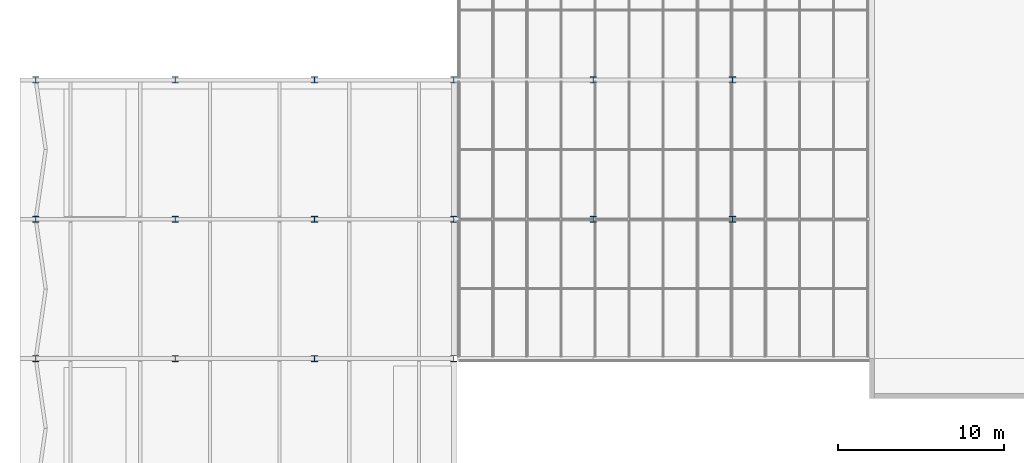
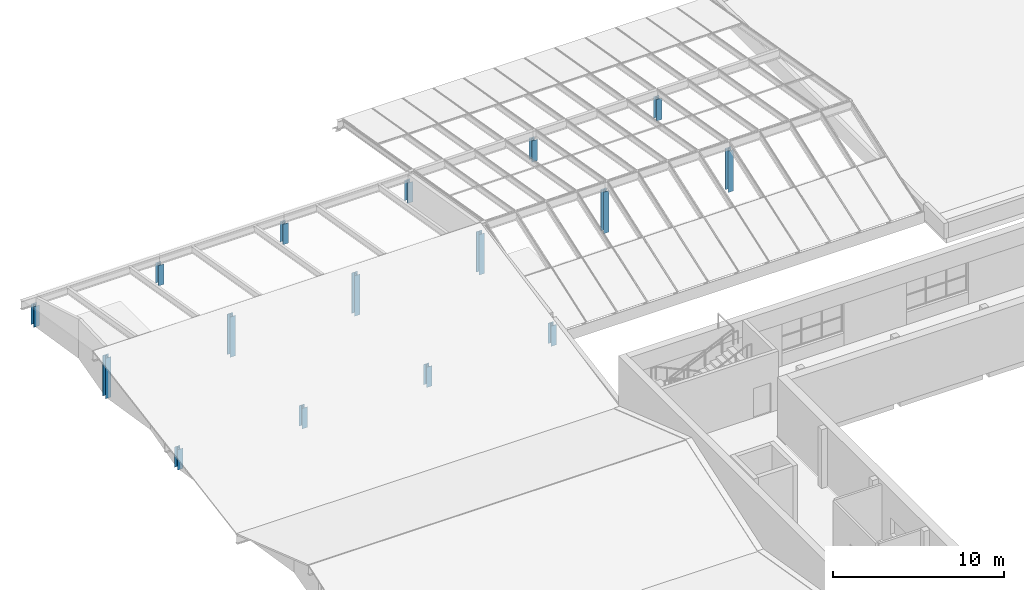
# One storey, part 6 of 60: 16 columns.
"""IFC4 building model written with IfcOpenShell, lengths in metres."""

from ifc_helpers import new_model, si_unit, direction, frame, origin, origin_2d, place, context, subcontext, project, spatial, i_section, extrude, material, material_profile, profile_set, type_object, element, save


model = new_model("IFC4")

# Units and contexts
model_context = context("Model", 3, precision=1e-05, world=origin(), true_north=direction((0.0, 1.0)))
body_context = subcontext(model_context, "Body", "Model", "MODEL_VIEW")
ifc_project = project(units=[si_unit("LENGTHUNIT", "METRE"), si_unit("AREAUNIT", "SQUARE_METRE"), si_unit("VOLUMEUNIT", "CUBIC_METRE"), si_unit("PLANEANGLEUNIT", "RADIAN"), si_unit("MASSUNIT", "GRAM", prefix="KILO")], contexts=[model_context])

# Site, building, storey
site_placement = place(None, origin())
site = spatial("IfcSite", under=ifc_project, at=site_placement, CompositionType="ELEMENT")
building_placement = place(site_placement, origin())
building = spatial("IfcBuilding", under=site, at=building_placement, Name="Ljudholm Concert House", CompositionType="ELEMENT")
storey_placement = place(building_placement, frame((0.0, 0.0, 15.0)))
storey = spatial("IfcBuildingStorey", under=building, at=storey_placement, Name="L03", CompositionType="ELEMENT", Elevation=15.0)

# Columns
ifc_material = material(Name="Steel ASTM A992", Category="steel")
ifc_material_profile = material_profile(ifc_material, i_section(OverallWidth=0.368408203125, OverallDepth=0.355712890625, WebThickness=0.01123046875, FlangeThickness=0.01806640625, FilletRadius=0.01513671875, at=origin_2d()), Name="W14X90")
ifc_profile_set = profile_set([ifc_material_profile], Name="Steel ASTM A992")
column_type = type_object("IfcColumnType", Name="STEEL COLUMN W14X90", PredefinedType="COLUMN", material=ifc_profile_set)
for number, where, z_axis, x_axis, name in (
    (1, (4.0, 104.800048828125, 0.0), (0.0, 0.0, 1.0), (1.0, 0.0, 0.0), "Roof post"),
    (2, (12.39990234375, 104.800048828125, 0.0), (0.0, 0.0, 1.0), (1.0, 0.0, 0.0), "Roof post"),
    (3, (20.800048828125, 104.800048828125, 0.0), (0.0, 0.0, 1.0), (1.0, 0.0, 0.0), "Roof post"),
    (4, (29.199951171875, 104.800048828125, 0.0), (0.0, 0.0, 1.0), (1.0, 0.0, 0.0), "Roof post"),
):
    element("IfcColumn", number, at=place(storey_placement, frame(where, z_axis=z_axis, x_axis=x_axis)), inside=storey, type_object=column_type, Name=name, PredefinedType="COLUMN", context=body_context, shape_type="SweptSolid", body=[
        extrude(i_section(OverallWidth=0.368408203125, OverallDepth=0.355712890625, WebThickness=0.01123046875, FlangeThickness=0.01806640625, FilletRadius=0.01513671875, at=origin_2d()), origin(), (0.0, 0.0, 1.0), 1.452392578125),
    ])
for number, where, z_axis, x_axis, name in (
    (5, (4.0, 113.199951171875, 0.0), (0.0, 0.0, 1.0), (1.0, 0.0, 0.0), "Roof post"),
    (6, (12.39990234375, 113.199951171875, 0.0), (0.0, 0.0, 1.0), (1.0, 0.0, 0.0), "Roof post"),
    (7, (20.800048828125, 113.199951171875, 0.0), (0.0, 0.0, 1.0), (1.0, 0.0, 0.0), "Roof post"),
    (8, (29.199951171875, 113.199951171875, 0.0), (0.0, 0.0, 1.0), (1.0, 0.0, 0.0), "Roof post"),
):
    element("IfcColumn", number, at=place(storey_placement, frame(where, z_axis=z_axis, x_axis=x_axis)), inside=storey, type_object=column_type, Name=name, PredefinedType="COLUMN", context=body_context, shape_type="SweptSolid", body=[
        extrude(i_section(OverallWidth=0.368408203125, OverallDepth=0.355712890625, WebThickness=0.01123046875, FlangeThickness=0.01806640625, FilletRadius=0.01513671875, at=origin_2d()), origin(), (0.0, 0.0, 1.0), 2.886474609375),
    ])
for number, where, z_axis, x_axis, name in (
    (9, (4.0, 121.60009765625, 0.0), (0.0, 0.0, 1.0), (1.0, 0.0, 0.0), "Roof post"),
    (10, (12.39990234375, 121.60009765625, 0.0), (0.0, 0.0, 1.0), (1.0, 0.0, 0.0), "Roof post"),
    (11, (20.800048828125, 121.60009765625, 0.0), (0.0, 0.0, 1.0), (1.0, 0.0, 0.0), "Roof post"),
    (12, (29.199951171875, 121.60009765625, 0.0), (0.0, 0.0, 1.0), (1.0, 0.0, 0.0), "Roof post"),
):
    element("IfcColumn", number, at=place(storey_placement, frame(where, z_axis=z_axis, x_axis=x_axis)), inside=storey, type_object=column_type, Name=name, PredefinedType="COLUMN", context=body_context, shape_type="SweptSolid", body=[
        extrude(i_section(OverallWidth=0.368408203125, OverallDepth=0.355712890625, WebThickness=0.01123046875, FlangeThickness=0.01806640625, FilletRadius=0.01513671875, at=origin_2d()), origin(), (0.0, 0.0, 1.0), 1.452392578125),
    ])
for number, where, z_axis, x_axis, name in (
    (13, (37.60009765625, 113.199951171875, 0.0), (0.0, 0.0, 1.0), (1.0, 0.0, 0.0), "Roof post"),
    (14, (46.0, 113.199951171875, 0.0), (0.0, 0.0, 1.0), (1.0, 0.0, 0.0), "Roof post"),
):
    element("IfcColumn", number, at=place(storey_placement, frame(where, z_axis=z_axis, x_axis=x_axis)), inside=storey, type_object=column_type, Name=name, PredefinedType="COLUMN", context=body_context, shape_type="SweptSolid", body=[
        extrude(i_section(OverallWidth=0.368408203125, OverallDepth=0.355712890625, WebThickness=0.01123046875, FlangeThickness=0.01806640625, FilletRadius=0.01513671875, at=origin_2d()), origin(), (0.0, 0.0, 1.0), 2.959716796875),
    ])
for number, where, z_axis, x_axis, name in (
    (15, (37.60009765625, 121.60009765625, 0.0), (0.0, 0.0, 1.0), (1.0, 0.0, 0.0), "Roof post"),
    (16, (46.0, 121.60009765625, 0.0), (0.0, 0.0, 1.0), (1.0, 0.0, 0.0), "Roof post"),
):
    element("IfcColumn", number, at=place(storey_placement, frame(where, z_axis=z_axis, x_axis=x_axis)), inside=storey, type_object=column_type, Name=name, PredefinedType="COLUMN", context=body_context, shape_type="SweptSolid", body=[
        extrude(i_section(OverallWidth=0.368408203125, OverallDepth=0.355712890625, WebThickness=0.01123046875, FlangeThickness=0.01806640625, FilletRadius=0.01513671875, at=origin_2d()), origin(), (0.0, 0.0, 1.0), 1.525390625),
    ])

save(model, "model.ifc")
